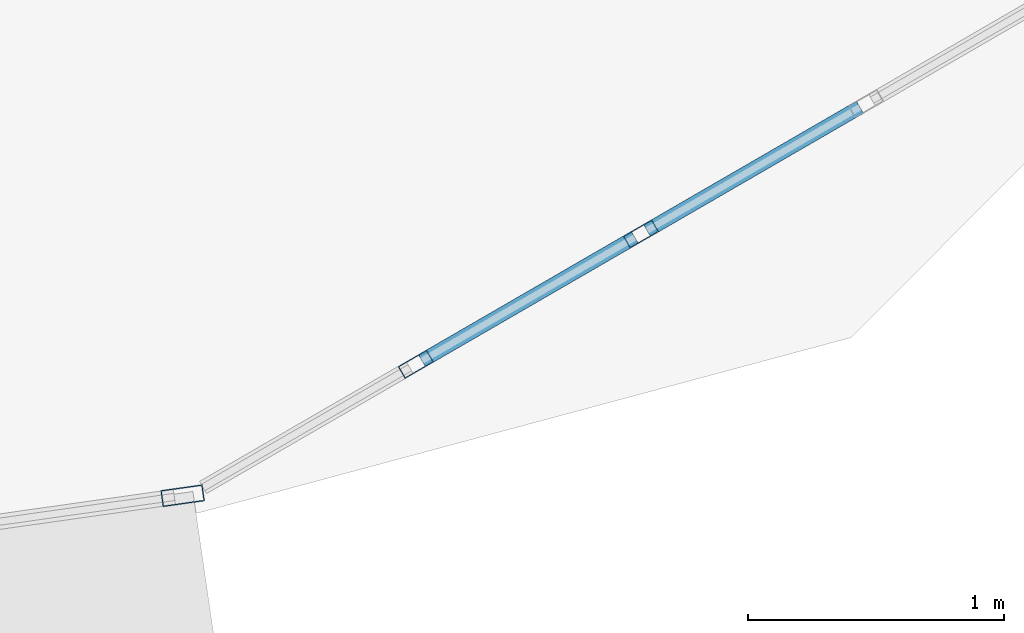
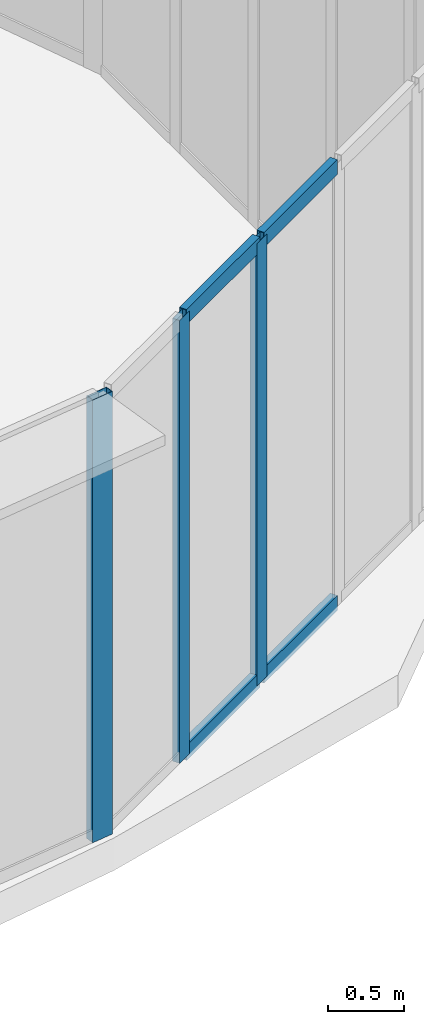
# One storey, part 22 of 41: 7 members, 2 elements without a shape of their own.
"""IFC4 building model written with IfcOpenShell, lengths in metres."""

from ifc_helpers import new_model, si_unit, direction, frame, origin, origin_2d, place, context, subcontext, project, spatial, hollow_rectangle, extrude, source, transform, mapped, material, layer, layer_set, material_profile, profile_set, type_object, element, aggregate, save


model = new_model("IFC4")

# Units and contexts
model_context = context("Model", 3, precision=1e-05, world=origin(), true_north=direction((0.0, 1.0)))
body_context = subcontext(model_context, "Body", "Model", "MODEL_VIEW")
ifc_project = project(units=[si_unit("LENGTHUNIT", "METRE"), si_unit("AREAUNIT", "SQUARE_METRE"), si_unit("VOLUMEUNIT", "CUBIC_METRE"), si_unit("PLANEANGLEUNIT", "RADIAN"), si_unit("MASSUNIT", "GRAM", prefix="KILO"), si_unit("THERMODYNAMICTEMPERATUREUNIT", "KELVIN"), si_unit("POWERUNIT", "WATT")], contexts=[model_context])

# Site, building, storey
site_placement = place(None, origin())
site = spatial("IfcSite", under=ifc_project, at=site_placement, CompositionType="ELEMENT")
building_placement = place(site_placement, origin())
building = spatial("IfcBuilding", under=site, at=building_placement, Name="Yunzhuo Pagoda Commons", CompositionType="ELEMENT")
storey_placement = place(building_placement, frame((0.0, 0.0, 111.580078125)))
storey = spatial("IfcBuildingStorey", under=building, at=storey_placement, Name="L28", CompositionType="ELEMENT", Elevation=111.580078125)

# Curtain wall, member
ifc_material = material(Name="Anodized aluminium 6063-T6", Category="aluminium")
ifc_layer_1 = layer(ifc_material, 0.1650390625)
ifc_layer_set_1 = layer_set([ifc_layer_1], Name="Anodized aluminium 6063-T6")
curtain_wall_type_1 = type_object("IfcCurtainWallType", Name="CW-LOW Low-Zone Ribbon Curtain Wall", PredefinedType="NOTDEFINED", material=ifc_layer_set_1)
curtain_wall_1_placement = place(storey_placement, origin())
curtain_wall_1 = element("IfcCurtainWall", 1, at=curtain_wall_1_placement, inside=storey, type_object=curtain_wall_type_1, Name="L28 curtain wall CW-L28-F1B5", PredefinedType="NOTDEFINED")
ifc_material_profile_1 = material_profile(ifc_material, hollow_rectangle(XDim=0.06494140625, YDim=0.1650390625, WallThickness=0.00390625, at=origin_2d()), Name="Anodized aluminium 6063-T6")
ifc_profile_set_1 = profile_set([ifc_material_profile_1], Name="Anodized aluminium 6063-T6")
member_type_1 = type_object("IfcMemberType", Name="CW-LOW-M Mullion RHS 165x65x4", PredefinedType="MULLION", material=ifc_profile_set_1)
shared_shape_1 = source(origin(), body_context, "Body", "SweptSolid", [
    extrude(hollow_rectangle(XDim=0.06494140625, YDim=0.1650390625, WallThickness=0.00390625, at=origin_2d()), origin(), (0.0, 0.0, 1.0), 3.5400390625),
])
member_1_placement = place(storey_placement, frame((84.614013671875, 15.7900390625, 0.0), z_axis=(0.0, 0.0, 1.0), x_axis=(-0.140408035721, 0.990093724606, 0.0)))
member_1 = element("IfcMember", 2, at=member_1_placement, type_object=member_type_1, Name="CW mullion 2", PredefinedType="MULLION", context=body_context, shape_type="MappedRepresentation", body=[
    mapped(shared_shape_1, transform((0.0, 0.0, 0.0), scale=1.0)),
])
aggregate(curtain_wall_1, [member_1])

# Curtain wall, members
ifc_layer_2 = layer(ifc_material, 0.1298828125)
ifc_layer_set_2 = layer_set([ifc_layer_2], Name="Anodized aluminium 6063-T6")
curtain_wall_type_2 = type_object("IfcCurtainWallType", Name="CW-VTX Rounded Corner Curtain Wall", PredefinedType="NOTDEFINED", material=ifc_layer_set_2)
curtain_wall_2_placement = place(storey_placement, origin())
curtain_wall_2 = element("IfcCurtainWall", 3, at=curtain_wall_2_placement, inside=storey, type_object=curtain_wall_type_2, Name="L28 curtain wall CW-L28-VTX2S1", PredefinedType="NOTDEFINED")
ifc_material_profile_2 = material_profile(ifc_material, hollow_rectangle(XDim=0.054931640625, YDim=0.1298828125, WallThickness=0.00341796875, at=origin_2d()), Name="Anodized aluminium 6063-T6")
ifc_profile_set_2 = profile_set([ifc_material_profile_2], Name="Anodized aluminium 6063-T6")
member_type_2 = type_object("IfcMemberType", Name="CW-VTX-M Mullion RHS 130x55x3.5", PredefinedType="MULLION", material=ifc_profile_set_2)
shared_shape_2 = source(origin(), body_context, "Body", "SweptSolid", [
    extrude(hollow_rectangle(XDim=0.054931640625, YDim=0.1298828125, WallThickness=0.00341796875, at=origin_2d()), origin(), (0.0, 0.0, 1.0), 3.5400390625),
])
member_2_placement = place(storey_placement, frame((85.52587890625, 16.303955078125, 0.0), z_axis=(0.0, 0.0, 1.0), x_axis=(-0.501032393989, 0.865428529789, 0.0)))
member_2 = element("IfcMember", 4, at=member_2_placement, type_object=member_type_2, Name="CW mullion 2", PredefinedType="MULLION", context=body_context, shape_type="MappedRepresentation", body=[
    mapped(shared_shape_2, transform((0.0, 0.0, 0.0), scale=1.0)),
])
member_3_placement = place(storey_placement, frame((86.406005859375, 16.8134765625, 0.0), z_axis=(0.0, 0.0, 1.0), x_axis=(-0.501032393989, 0.865428529789, 0.0)))
member_3 = element("IfcMember", 5, at=member_3_placement, type_object=member_type_2, Name="CW mullion 3", PredefinedType="MULLION", context=body_context, shape_type="MappedRepresentation", body=[
    mapped(shared_shape_2, transform((0.0, 0.0, 0.0), scale=1.0)),
])
ifc_material_profile_3 = material_profile(ifc_material, hollow_rectangle(XDim=0.054931640625, YDim=0.1201171875, WallThickness=0.00341796875, at=origin_2d()), Name="Anodized aluminium 6063-T6")
ifc_profile_set_3 = profile_set([ifc_material_profile_3], Name="Anodized aluminium 6063-T6")
member_type_3 = type_object("IfcMemberType", Name="CW-VTX-T Transom RHS 120x55x3.5", PredefinedType="USERDEFINED", material=ifc_profile_set_3)
shared_shape_3 = source(origin(), body_context, "Body", "SweptSolid", [
    extrude(hollow_rectangle(XDim=0.054931640625, YDim=0.1201171875, WallThickness=0.00341796875, at=origin_2d()), origin(), (0.0, 0.0, 1.0), 0.961669921875),
])
member_4_placement = place(storey_placement, frame((85.5498046875, 16.31787109375, 0.02734375), z_axis=(0.865385729326, 0.501106315544, 0.0), x_axis=(-0.501106315544, 0.865385729326, 0.0)))
member_4 = element("IfcMember", 6, at=member_4_placement, type_object=member_type_3, Name="CW transom 2.1", ObjectType="TRANSOM", PredefinedType="USERDEFINED", context=body_context, shape_type="MappedRepresentation", body=[
    mapped(shared_shape_3, transform((0.0, 0.0, 0.0), scale=1.0)),
])
member_5_placement = place(storey_placement, frame((85.5498046875, 16.31787109375, 3.512451171875), z_axis=(0.865385729326, 0.501106315544, 0.0), x_axis=(-0.501106315544, 0.865385729326, 0.0)))
member_5 = element("IfcMember", 7, at=member_5_placement, type_object=member_type_3, Name="CW transom 2.2", ObjectType="TRANSOM", PredefinedType="USERDEFINED", context=body_context, shape_type="MappedRepresentation", body=[
    mapped(shared_shape_3, transform((0.0, 0.0, 0.0), scale=1.0)),
])
member_6_placement = place(storey_placement, frame((86.429931640625, 16.8271484375, 0.02734375), z_axis=(0.865385729326, 0.501106315544, 0.0), x_axis=(-0.501106315544, 0.865385729326, 0.0)))
member_6 = element("IfcMember", 8, at=member_6_placement, type_object=member_type_3, Name="CW transom 3.1", ObjectType="TRANSOM", PredefinedType="USERDEFINED", context=body_context, shape_type="MappedRepresentation", body=[
    mapped(shared_shape_3, transform((0.0, 0.0, 0.0), scale=1.0)),
])
member_7_placement = place(storey_placement, frame((86.429931640625, 16.8271484375, 3.512451171875), z_axis=(0.865385729326, 0.501106315544, 0.0), x_axis=(-0.501106315544, 0.865385729326, 0.0)))
member_7 = element("IfcMember", 9, at=member_7_placement, type_object=member_type_3, Name="CW transom 3.2", ObjectType="TRANSOM", PredefinedType="USERDEFINED", context=body_context, shape_type="MappedRepresentation", body=[
    mapped(shared_shape_3, transform((0.0, 0.0, 0.0), scale=1.0)),
])
aggregate(curtain_wall_2, [member_2, member_3, member_4, member_5, member_6, member_7])

save(model, "model.ifc")
